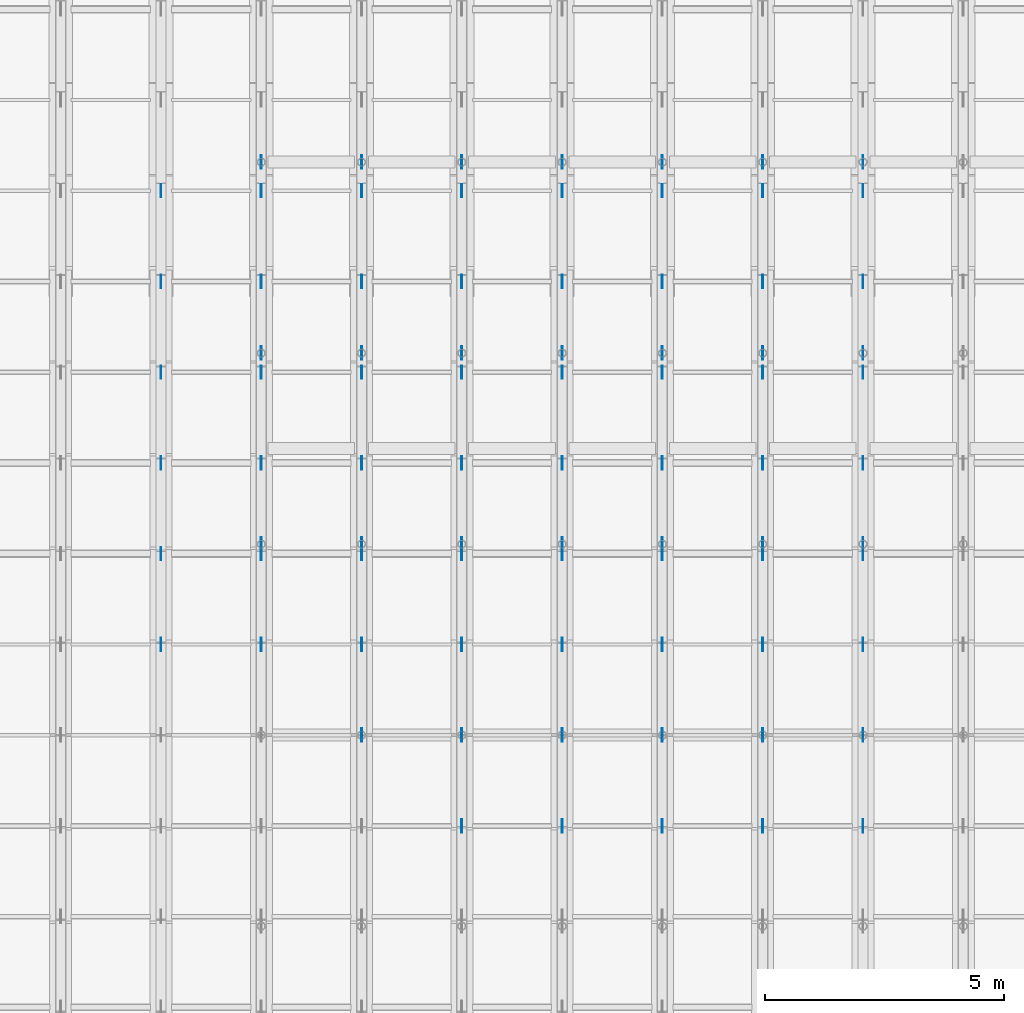
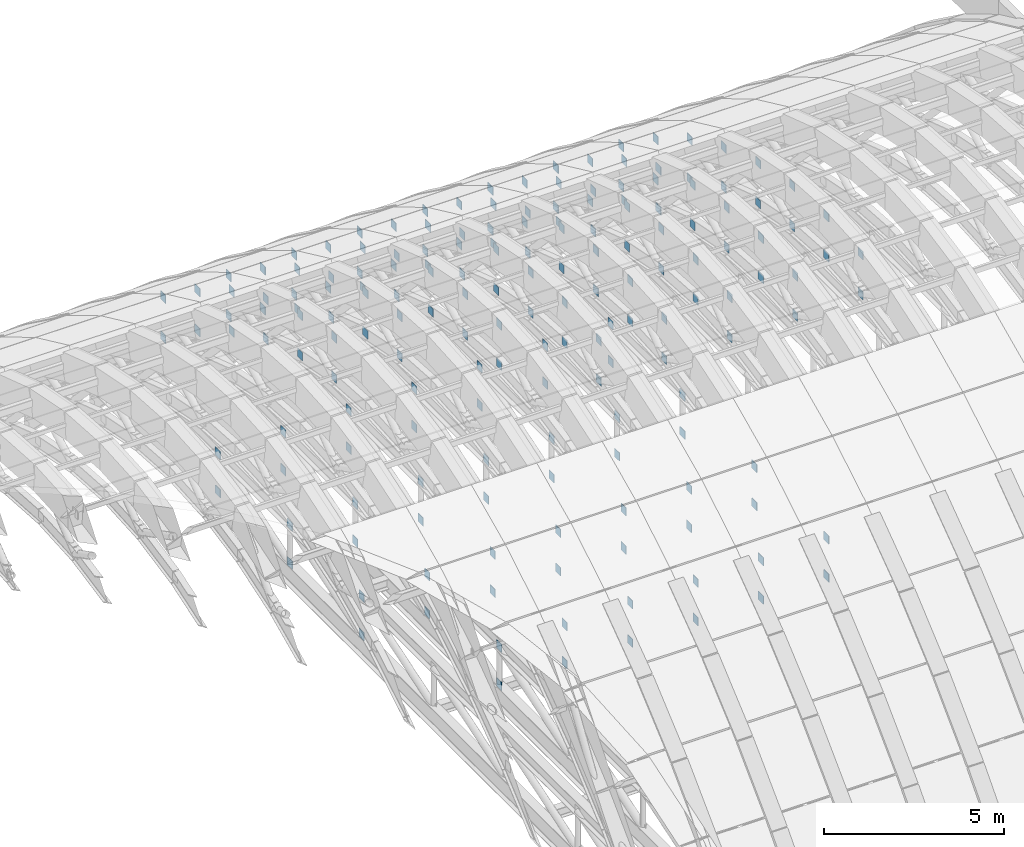
# One storey, part 61 of 67: 172 plates.
"""IFC4 building model written with IfcOpenShell, lengths in metres."""

from ifc_helpers import new_model, si_unit, direction, frame, origin, origin_2d, place, context, subcontext, project, spatial, rectangle, extrude, material, layer, layer_set, type_object, element, save


model = new_model("IFC4")

# Units and contexts
model_context = context("Model", 3, precision=1e-05, world=origin(), true_north=direction((0.0, 1.0)))
body_context = subcontext(model_context, "Body", "Model", "MODEL_VIEW")
ifc_project = project(units=[si_unit("LENGTHUNIT", "METRE"), si_unit("AREAUNIT", "SQUARE_METRE"), si_unit("VOLUMEUNIT", "CUBIC_METRE"), si_unit("PLANEANGLEUNIT", "RADIAN"), si_unit("MASSUNIT", "GRAM", prefix="KILO")], contexts=[model_context])

# Site, building, storey
site_placement = place(None, origin())
site = spatial("IfcSite", under=ifc_project, at=site_placement, CompositionType="ELEMENT")
building_placement = place(site_placement, origin())
building = spatial("IfcBuilding", under=site, at=building_placement, Name="Shengluoqiao Park Theatre", CompositionType="ELEMENT")
storey_placement = place(building_placement, frame((0.0, 0.0, 28.60009765625)))
storey = spatial("IfcBuildingStorey", under=building, at=storey_placement, Name="Roof", CompositionType="ELEMENT", Elevation=28.60009765625)

# Plates
ifc_material = material(Name="Steel Q355", Category="steel")
ifc_layer = layer(ifc_material, 0.013916015625, Name="Steel Q355")
ifc_layer_set = layer_set([ifc_layer], Name="Steel Q355")
plate_type = type_object("IfcPlateType", Name="STR-PLT-EC-280", PredefinedType="SHEET", material=ifc_layer_set)
for number, where, z_axis, x_axis, name in (
    (1, (61.199951171875, 96.89990234375, 2.31396484375), (0.0, 0.0, 1.0), (1.0, 0.0, 0.0), "Arch Truss Node Gusset Plate R09-U11"),
    (2, (61.199951171875, 96.89990234375, 0.9541015625), (0.0, 0.0, 1.0), (1.0, 0.0, 0.0), "Arch Truss Node Gusset Plate R09-L11"),
    (3, (61.199951171875, 98.800048828125, 1.93603515625), (0.0, 0.0, 1.0), (1.0, 0.0, 0.0), "Arch Truss Node Gusset Plate R09-U12"),
    (4, (61.199951171875, 98.800048828125, 0.57568359375), (0.0, 0.0, 1.0), (1.0, 0.0, 0.0), "Arch Truss Node Gusset Plate R09-L12"),
    (5, (61.199951171875, 100.699951171875, 1.3056640625), (0.0, 0.0, 1.0), (1.0, 0.0, 0.0), "Arch Truss Node Gusset Plate R09-U13"),
    (6, (61.199951171875, 100.699951171875, -0.05419921875), (0.0, 0.0, 1.0), (1.0, 0.0, 0.0), "Arch Truss Node Gusset Plate R09-L13"),
    (7, (61.199951171875, 102.60009765625, 0.423828125), (0.0, 0.0, 1.0), (1.0, 0.0, 0.0), "Arch Truss Node Gusset Plate R09-U14"),
    (8, (61.199951171875, 102.60009765625, -0.93603515625), (0.0, 0.0, 1.0), (1.0, 0.0, 0.0), "Arch Truss Node Gusset Plate R09-L14"),
    (9, (61.199951171875, 104.5, -0.7099609375), (0.0, 0.0, 1.0), (1.0, 0.0, 0.0), "Arch Truss Node Gusset Plate R09-U15"),
    (10, (61.199951171875, 104.5, -2.0703125), (0.0, 0.0, 1.0), (1.0, 0.0, 0.0), "Arch Truss Node Gusset Plate R09-L15"),
    (11, (61.199951171875, 106.39990234375, -2.09619140625), (0.0, 0.0, 1.0), (1.0, 0.0, 0.0), "Arch Truss Node Gusset Plate R09-U16"),
    (12, (61.199951171875, 106.39990234375, -3.4560546875), (0.0, 0.0, 1.0), (1.0, 0.0, 0.0), "Arch Truss Node Gusset Plate R09-L16"),
    (13, (63.300048828125, 96.89990234375, 2.31396484375), (0.0, 0.0, 1.0), (1.0, 0.0, 0.0), "Arch Truss Node Gusset Plate R10-U11"),
    (14, (63.300048828125, 96.89990234375, 0.9541015625), (0.0, 0.0, 1.0), (1.0, 0.0, 0.0), "Arch Truss Node Gusset Plate R10-L11"),
    (15, (63.300048828125, 98.800048828125, 1.93603515625), (0.0, 0.0, 1.0), (1.0, 0.0, 0.0), "Arch Truss Node Gusset Plate R10-U12"),
    (16, (63.300048828125, 98.800048828125, 0.57568359375), (0.0, 0.0, 1.0), (1.0, 0.0, 0.0), "Arch Truss Node Gusset Plate R10-L12"),
    (17, (63.300048828125, 100.699951171875, 1.3056640625), (0.0, 0.0, 1.0), (1.0, 0.0, 0.0), "Arch Truss Node Gusset Plate R10-U13"),
    (18, (63.300048828125, 100.699951171875, -0.05419921875), (0.0, 0.0, 1.0), (1.0, 0.0, 0.0), "Arch Truss Node Gusset Plate R10-L13"),
    (19, (63.300048828125, 102.60009765625, 0.423828125), (0.0, 0.0, 1.0), (1.0, 0.0, 0.0), "Arch Truss Node Gusset Plate R10-U14"),
    (20, (63.300048828125, 102.60009765625, -0.93603515625), (0.0, 0.0, 1.0), (1.0, 0.0, 0.0), "Arch Truss Node Gusset Plate R10-L14"),
    (21, (63.300048828125, 104.5, -0.7099609375), (0.0, 0.0, 1.0), (1.0, 0.0, 0.0), "Arch Truss Node Gusset Plate R10-U15"),
    (22, (63.300048828125, 104.5, -2.0703125), (0.0, 0.0, 1.0), (1.0, 0.0, 0.0), "Arch Truss Node Gusset Plate R10-L15"),
    (23, (63.300048828125, 106.39990234375, -2.09619140625), (0.0, 0.0, 1.0), (1.0, 0.0, 0.0), "Arch Truss Node Gusset Plate R10-U16"),
    (24, (63.300048828125, 106.39990234375, -3.4560546875), (0.0, 0.0, 1.0), (1.0, 0.0, 0.0), "Arch Truss Node Gusset Plate R10-L16"),
    (25, (65.39990234375, 95.0, 2.43994140625), (0.0, 0.0, 1.0), (1.0, 0.0, 0.0), "Arch Truss Node Gusset Plate R11-U10"),
    (26, (65.39990234375, 95.0, 1.080078125), (0.0, 0.0, 1.0), (1.0, 0.0, 0.0), "Arch Truss Node Gusset Plate R11-L10"),
    (27, (65.39990234375, 96.89990234375, 2.31396484375), (0.0, 0.0, 1.0), (1.0, 0.0, 0.0), "Arch Truss Node Gusset Plate R11-U11"),
    (28, (65.39990234375, 96.89990234375, 0.9541015625), (0.0, 0.0, 1.0), (1.0, 0.0, 0.0), "Arch Truss Node Gusset Plate R11-L11"),
    (29, (65.39990234375, 98.800048828125, 1.93603515625), (0.0, 0.0, 1.0), (1.0, 0.0, 0.0), "Arch Truss Node Gusset Plate R11-U12"),
    (30, (65.39990234375, 98.800048828125, 0.57568359375), (0.0, 0.0, 1.0), (1.0, 0.0, 0.0), "Arch Truss Node Gusset Plate R11-L12"),
    (31, (65.39990234375, 100.699951171875, 1.3056640625), (0.0, 0.0, 1.0), (1.0, 0.0, 0.0), "Arch Truss Node Gusset Plate R11-U13"),
    (32, (65.39990234375, 100.699951171875, -0.05419921875), (0.0, 0.0, 1.0), (1.0, 0.0, 0.0), "Arch Truss Node Gusset Plate R11-L13"),
    (33, (65.39990234375, 102.60009765625, 0.423828125), (0.0, 0.0, 1.0), (1.0, 0.0, 0.0), "Arch Truss Node Gusset Plate R11-U14"),
    (34, (65.39990234375, 102.60009765625, -0.93603515625), (0.0, 0.0, 1.0), (1.0, 0.0, 0.0), "Arch Truss Node Gusset Plate R11-L14"),
    (35, (65.39990234375, 104.5, -0.7099609375), (0.0, 0.0, 1.0), (1.0, 0.0, 0.0), "Arch Truss Node Gusset Plate R11-U15"),
    (36, (65.39990234375, 104.5, -2.0703125), (0.0, 0.0, 1.0), (1.0, 0.0, 0.0), "Arch Truss Node Gusset Plate R11-L15"),
    (37, (65.39990234375, 106.39990234375, -2.09619140625), (0.0, 0.0, 1.0), (1.0, 0.0, 0.0), "Arch Truss Node Gusset Plate R11-U16"),
    (38, (65.39990234375, 106.39990234375, -3.4560546875), (0.0, 0.0, 1.0), (1.0, 0.0, 0.0), "Arch Truss Node Gusset Plate R11-L16"),
    (39, (67.5, 93.10009765625, 2.31396484375), (0.0, 0.0, 1.0), (1.0, 0.0, 0.0), "Arch Truss Node Gusset Plate R12-U09"),
    (40, (67.5, 93.10009765625, 0.9541015625), (0.0, 0.0, 1.0), (1.0, 0.0, 0.0), "Arch Truss Node Gusset Plate R12-L09"),
    (41, (67.5, 95.0, 2.43994140625), (0.0, 0.0, 1.0), (1.0, 0.0, 0.0), "Arch Truss Node Gusset Plate R12-U10"),
    (42, (67.5, 95.0, 1.080078125), (0.0, 0.0, 1.0), (1.0, 0.0, 0.0), "Arch Truss Node Gusset Plate R12-L10"),
    (43, (67.5, 96.89990234375, 2.31396484375), (0.0, 0.0, 1.0), (1.0, 0.0, 0.0), "Arch Truss Node Gusset Plate R12-U11"),
    (44, (67.5, 96.89990234375, 0.9541015625), (0.0, 0.0, 1.0), (1.0, 0.0, 0.0), "Arch Truss Node Gusset Plate R12-L11"),
    (45, (67.5, 98.800048828125, 1.93603515625), (0.0, 0.0, 1.0), (1.0, 0.0, 0.0), "Arch Truss Node Gusset Plate R12-U12"),
    (46, (67.5, 98.800048828125, 0.57568359375), (0.0, 0.0, 1.0), (1.0, 0.0, 0.0), "Arch Truss Node Gusset Plate R12-L12"),
    (47, (67.5, 100.699951171875, 1.3056640625), (0.0, 0.0, 1.0), (1.0, 0.0, 0.0), "Arch Truss Node Gusset Plate R12-U13"),
    (48, (67.5, 100.699951171875, -0.05419921875), (0.0, 0.0, 1.0), (1.0, 0.0, 0.0), "Arch Truss Node Gusset Plate R12-L13"),
    (49, (67.5, 102.60009765625, 0.423828125), (0.0, 0.0, 1.0), (1.0, 0.0, 0.0), "Arch Truss Node Gusset Plate R12-U14"),
    (50, (67.5, 102.60009765625, -0.93603515625), (0.0, 0.0, 1.0), (1.0, 0.0, 0.0), "Arch Truss Node Gusset Plate R12-L14"),
    (51, (67.5, 104.5, -0.7099609375), (0.0, 0.0, 1.0), (1.0, 0.0, 0.0), "Arch Truss Node Gusset Plate R12-U15"),
    (52, (67.5, 104.5, -2.0703125), (0.0, 0.0, 1.0), (1.0, 0.0, 0.0), "Arch Truss Node Gusset Plate R12-L15"),
    (53, (67.5, 106.39990234375, -2.09619140625), (0.0, 0.0, 1.0), (1.0, 0.0, 0.0), "Arch Truss Node Gusset Plate R12-U16"),
    (54, (67.5, 106.39990234375, -3.4560546875), (0.0, 0.0, 1.0), (1.0, 0.0, 0.0), "Arch Truss Node Gusset Plate R12-L16"),
    (55, (69.60009765625, 93.10009765625, 2.31396484375), (0.0, 0.0, 1.0), (1.0, 0.0, 0.0), "Arch Truss Node Gusset Plate R13-U09"),
    (56, (69.60009765625, 93.10009765625, 0.9541015625), (0.0, 0.0, 1.0), (1.0, 0.0, 0.0), "Arch Truss Node Gusset Plate R13-L09"),
    (57, (69.60009765625, 95.0, 2.43994140625), (0.0, 0.0, 1.0), (1.0, 0.0, 0.0), "Arch Truss Node Gusset Plate R13-U10"),
    (58, (69.60009765625, 95.0, 1.080078125), (0.0, 0.0, 1.0), (1.0, 0.0, 0.0), "Arch Truss Node Gusset Plate R13-L10"),
    (59, (69.60009765625, 96.89990234375, 2.31396484375), (0.0, 0.0, 1.0), (1.0, 0.0, 0.0), "Arch Truss Node Gusset Plate R13-U11"),
    (60, (69.60009765625, 96.89990234375, 0.9541015625), (0.0, 0.0, 1.0), (1.0, 0.0, 0.0), "Arch Truss Node Gusset Plate R13-L11"),
    (61, (69.60009765625, 98.800048828125, 1.93603515625), (0.0, 0.0, 1.0), (1.0, 0.0, 0.0), "Arch Truss Node Gusset Plate R13-U12"),
    (62, (69.60009765625, 98.800048828125, 0.57568359375), (0.0, 0.0, 1.0), (1.0, 0.0, 0.0), "Arch Truss Node Gusset Plate R13-L12"),
    (63, (69.60009765625, 100.699951171875, 1.3056640625), (0.0, 0.0, 1.0), (1.0, 0.0, 0.0), "Arch Truss Node Gusset Plate R13-U13"),
    (64, (69.60009765625, 100.699951171875, -0.05419921875), (0.0, 0.0, 1.0), (1.0, 0.0, 0.0), "Arch Truss Node Gusset Plate R13-L13"),
    (65, (69.60009765625, 102.60009765625, 0.423828125), (0.0, 0.0, 1.0), (1.0, 0.0, 0.0), "Arch Truss Node Gusset Plate R13-U14"),
    (66, (69.60009765625, 102.60009765625, -0.93603515625), (0.0, 0.0, 1.0), (1.0, 0.0, 0.0), "Arch Truss Node Gusset Plate R13-L14"),
    (67, (69.60009765625, 104.5, -0.7099609375), (0.0, 0.0, 1.0), (1.0, 0.0, 0.0), "Arch Truss Node Gusset Plate R13-U15"),
    (68, (69.60009765625, 104.5, -2.0703125), (0.0, 0.0, 1.0), (1.0, 0.0, 0.0), "Arch Truss Node Gusset Plate R13-L15"),
    (69, (69.60009765625, 106.39990234375, -2.09619140625), (0.0, 0.0, 1.0), (1.0, 0.0, 0.0), "Arch Truss Node Gusset Plate R13-U16"),
    (70, (69.60009765625, 106.39990234375, -3.4560546875), (0.0, 0.0, 1.0), (1.0, 0.0, 0.0), "Arch Truss Node Gusset Plate R13-L16"),
    (71, (71.699951171875, 93.10009765625, 2.31396484375), (0.0, 0.0, 1.0), (1.0, 0.0, 0.0), "Arch Truss Node Gusset Plate R14-U09"),
    (72, (71.699951171875, 93.10009765625, 0.9541015625), (0.0, 0.0, 1.0), (1.0, 0.0, 0.0), "Arch Truss Node Gusset Plate R14-L09"),
    (73, (71.699951171875, 95.0, 2.43994140625), (0.0, 0.0, 1.0), (1.0, 0.0, 0.0), "Arch Truss Node Gusset Plate R14-U10"),
    (74, (71.699951171875, 95.0, 1.080078125), (0.0, 0.0, 1.0), (1.0, 0.0, 0.0), "Arch Truss Node Gusset Plate R14-L10"),
    (75, (71.699951171875, 96.89990234375, 2.31396484375), (0.0, 0.0, 1.0), (1.0, 0.0, 0.0), "Arch Truss Node Gusset Plate R14-U11"),
    (76, (71.699951171875, 96.89990234375, 0.9541015625), (0.0, 0.0, 1.0), (1.0, 0.0, 0.0), "Arch Truss Node Gusset Plate R14-L11"),
    (77, (71.699951171875, 98.800048828125, 1.93603515625), (0.0, 0.0, 1.0), (1.0, 0.0, 0.0), "Arch Truss Node Gusset Plate R14-U12"),
    (78, (71.699951171875, 98.800048828125, 0.57568359375), (0.0, 0.0, 1.0), (1.0, 0.0, 0.0), "Arch Truss Node Gusset Plate R14-L12"),
    (79, (71.699951171875, 100.699951171875, 1.3056640625), (0.0, 0.0, 1.0), (1.0, 0.0, 0.0), "Arch Truss Node Gusset Plate R14-U13"),
    (80, (71.699951171875, 100.699951171875, -0.05419921875), (0.0, 0.0, 1.0), (1.0, 0.0, 0.0), "Arch Truss Node Gusset Plate R14-L13"),
    (81, (71.699951171875, 102.60009765625, 0.423828125), (0.0, 0.0, 1.0), (1.0, 0.0, 0.0), "Arch Truss Node Gusset Plate R14-U14"),
    (82, (71.699951171875, 102.60009765625, -0.93603515625), (0.0, 0.0, 1.0), (1.0, 0.0, 0.0), "Arch Truss Node Gusset Plate R14-L14"),
    (83, (71.699951171875, 104.5, -0.7099609375), (0.0, 0.0, 1.0), (1.0, 0.0, 0.0), "Arch Truss Node Gusset Plate R14-U15"),
    (84, (71.699951171875, 104.5, -2.0703125), (0.0, 0.0, 1.0), (1.0, 0.0, 0.0), "Arch Truss Node Gusset Plate R14-L15"),
    (85, (71.699951171875, 106.39990234375, -2.09619140625), (0.0, 0.0, 1.0), (1.0, 0.0, 0.0), "Arch Truss Node Gusset Plate R14-U16"),
    (86, (71.699951171875, 106.39990234375, -3.4560546875), (0.0, 0.0, 1.0), (1.0, 0.0, 0.0), "Arch Truss Node Gusset Plate R14-L16"),
    (87, (73.800048828125, 93.10009765625, 2.31396484375), (0.0, 0.0, 1.0), (1.0, 0.0, 0.0), "Arch Truss Node Gusset Plate R15-U09"),
    (88, (73.800048828125, 93.10009765625, 0.9541015625), (0.0, 0.0, 1.0), (1.0, 0.0, 0.0), "Arch Truss Node Gusset Plate R15-L09"),
    (89, (73.800048828125, 95.0, 2.43994140625), (0.0, 0.0, 1.0), (1.0, 0.0, 0.0), "Arch Truss Node Gusset Plate R15-U10"),
    (90, (73.800048828125, 95.0, 1.080078125), (0.0, 0.0, 1.0), (1.0, 0.0, 0.0), "Arch Truss Node Gusset Plate R15-L10"),
    (91, (73.800048828125, 96.89990234375, 2.31396484375), (0.0, 0.0, 1.0), (1.0, 0.0, 0.0), "Arch Truss Node Gusset Plate R15-U11"),
    (92, (73.800048828125, 96.89990234375, 0.9541015625), (0.0, 0.0, 1.0), (1.0, 0.0, 0.0), "Arch Truss Node Gusset Plate R15-L11"),
    (93, (73.800048828125, 98.800048828125, 1.93603515625), (0.0, 0.0, 1.0), (1.0, 0.0, 0.0), "Arch Truss Node Gusset Plate R15-U12"),
    (94, (73.800048828125, 98.800048828125, 0.57568359375), (0.0, 0.0, 1.0), (1.0, 0.0, 0.0), "Arch Truss Node Gusset Plate R15-L12"),
    (95, (73.800048828125, 100.699951171875, 1.3056640625), (0.0, 0.0, 1.0), (1.0, 0.0, 0.0), "Arch Truss Node Gusset Plate R15-U13"),
    (96, (73.800048828125, 100.699951171875, -0.05419921875), (0.0, 0.0, 1.0), (1.0, 0.0, 0.0), "Arch Truss Node Gusset Plate R15-L13"),
    (97, (73.800048828125, 102.60009765625, 0.423828125), (0.0, 0.0, 1.0), (1.0, 0.0, 0.0), "Arch Truss Node Gusset Plate R15-U14"),
    (98, (73.800048828125, 102.60009765625, -0.93603515625), (0.0, 0.0, 1.0), (1.0, 0.0, 0.0), "Arch Truss Node Gusset Plate R15-L14"),
    (99, (73.800048828125, 104.5, -0.7099609375), (0.0, 0.0, 1.0), (1.0, 0.0, 0.0), "Arch Truss Node Gusset Plate R15-U15"),
    (100, (73.800048828125, 104.5, -2.0703125), (0.0, 0.0, 1.0), (1.0, 0.0, 0.0), "Arch Truss Node Gusset Plate R15-L15"),
    (101, (73.800048828125, 106.39990234375, -2.09619140625), (0.0, 0.0, 1.0), (1.0, 0.0, 0.0), "Arch Truss Node Gusset Plate R15-U16"),
    (102, (73.800048828125, 106.39990234375, -3.4560546875), (0.0, 0.0, 1.0), (1.0, 0.0, 0.0), "Arch Truss Node Gusset Plate R15-L16"),
    (103, (75.89990234375, 93.10009765625, 2.31396484375), (0.0, 0.0, 1.0), (1.0, 0.0, 0.0), "Arch Truss Node Gusset Plate R16-U09"),
    (104, (75.89990234375, 93.10009765625, 0.9541015625), (0.0, 0.0, 1.0), (1.0, 0.0, 0.0), "Arch Truss Node Gusset Plate R16-L09"),
    (105, (75.89990234375, 95.0, 2.43994140625), (0.0, 0.0, 1.0), (1.0, 0.0, 0.0), "Arch Truss Node Gusset Plate R16-U10"),
    (106, (75.89990234375, 95.0, 1.080078125), (0.0, 0.0, 1.0), (1.0, 0.0, 0.0), "Arch Truss Node Gusset Plate R16-L10"),
    (107, (75.89990234375, 96.89990234375, 2.31396484375), (0.0, 0.0, 1.0), (1.0, 0.0, 0.0), "Arch Truss Node Gusset Plate R16-U11"),
    (108, (75.89990234375, 96.89990234375, 0.9541015625), (0.0, 0.0, 1.0), (1.0, 0.0, 0.0), "Arch Truss Node Gusset Plate R16-L11"),
    (109, (75.89990234375, 98.800048828125, 1.93603515625), (0.0, 0.0, 1.0), (1.0, 0.0, 0.0), "Arch Truss Node Gusset Plate R16-U12"),
    (110, (75.89990234375, 98.800048828125, 0.57568359375), (0.0, 0.0, 1.0), (1.0, 0.0, 0.0), "Arch Truss Node Gusset Plate R16-L12"),
    (111, (75.89990234375, 100.699951171875, 1.3056640625), (0.0, 0.0, 1.0), (1.0, 0.0, 0.0), "Arch Truss Node Gusset Plate R16-U13"),
    (112, (75.89990234375, 100.699951171875, -0.05419921875), (0.0, 0.0, 1.0), (1.0, 0.0, 0.0), "Arch Truss Node Gusset Plate R16-L13"),
    (113, (75.89990234375, 102.60009765625, 0.423828125), (0.0, 0.0, 1.0), (1.0, 0.0, 0.0), "Arch Truss Node Gusset Plate R16-U14"),
    (114, (75.89990234375, 102.60009765625, -0.93603515625), (0.0, 0.0, 1.0), (1.0, 0.0, 0.0), "Arch Truss Node Gusset Plate R16-L14"),
    (115, (75.89990234375, 104.5, -0.7099609375), (0.0, 0.0, 1.0), (1.0, 0.0, 0.0), "Arch Truss Node Gusset Plate R16-U15"),
    (116, (75.89990234375, 104.5, -2.0703125), (0.0, 0.0, 1.0), (1.0, 0.0, 0.0), "Arch Truss Node Gusset Plate R16-L15"),
    (117, (75.89990234375, 106.39990234375, -2.09619140625), (0.0, 0.0, 1.0), (1.0, 0.0, 0.0), "Arch Truss Node Gusset Plate R16-U16"),
    (118, (75.89990234375, 106.39990234375, -3.4560546875), (0.0, 0.0, 1.0), (1.0, 0.0, 0.0), "Arch Truss Node Gusset Plate R16-L16"),
    (119, (63.300048828125, 99.0, -9.7900390625), (0.0, 0.0, 1.0), (1.0, 0.0, 0.0), "Tie Truss Node Gusset Plate R10-B05"),
    (120, (63.300048828125, 99.0, -8.490234375), (0.0, 0.0, 1.0), (1.0, 0.0, 0.0), "Tie Truss Node Gusset Plate R10-T05"),
    (121, (63.300048828125, 103.0, -9.7900390625), (0.0, 0.0, 1.0), (1.0, 0.0, 0.0), "Tie Truss Node Gusset Plate R10-B06"),
    (122, (63.300048828125, 103.0, -8.490234375), (0.0, 0.0, 1.0), (1.0, 0.0, 0.0), "Tie Truss Node Gusset Plate R10-T06"),
    (123, (63.300048828125, 107.0, -9.7900390625), (0.0, 0.0, 1.0), (1.0, 0.0, 0.0), "Tie Truss Node Gusset Plate R10-B07"),
    (124, (63.300048828125, 107.0, -8.490234375), (0.0, 0.0, 1.0), (1.0, 0.0, 0.0), "Tie Truss Node Gusset Plate R10-T07"),
    (125, (65.39990234375, 95.0, -9.7900390625), (0.0, 0.0, 1.0), (1.0, 0.0, 0.0), "Tie Truss Node Gusset Plate R11-B04"),
    (126, (65.39990234375, 95.0, -8.490234375), (0.0, 0.0, 1.0), (1.0, 0.0, 0.0), "Tie Truss Node Gusset Plate R11-T04"),
    (127, (65.39990234375, 99.0, -9.7900390625), (0.0, 0.0, 1.0), (1.0, 0.0, 0.0), "Tie Truss Node Gusset Plate R11-B05"),
    (128, (65.39990234375, 99.0, -8.490234375), (0.0, 0.0, 1.0), (1.0, 0.0, 0.0), "Tie Truss Node Gusset Plate R11-T05"),
    (129, (65.39990234375, 103.0, -9.7900390625), (0.0, 0.0, 1.0), (1.0, 0.0, 0.0), "Tie Truss Node Gusset Plate R11-B06"),
    (130, (65.39990234375, 103.0, -8.490234375), (0.0, 0.0, 1.0), (1.0, 0.0, 0.0), "Tie Truss Node Gusset Plate R11-T06"),
    (131, (65.39990234375, 107.0, -9.7900390625), (0.0, 0.0, 1.0), (1.0, 0.0, 0.0), "Tie Truss Node Gusset Plate R11-B07"),
    (132, (65.39990234375, 107.0, -8.490234375), (0.0, 0.0, 1.0), (1.0, 0.0, 0.0), "Tie Truss Node Gusset Plate R11-T07"),
    (133, (67.5, 95.0, -9.7900390625), (0.0, 0.0, 1.0), (1.0, 0.0, 0.0), "Tie Truss Node Gusset Plate R12-B04"),
    (134, (67.5, 95.0, -8.490234375), (0.0, 0.0, 1.0), (1.0, 0.0, 0.0), "Tie Truss Node Gusset Plate R12-T04"),
    (135, (67.5, 99.0, -9.7900390625), (0.0, 0.0, 1.0), (1.0, 0.0, 0.0), "Tie Truss Node Gusset Plate R12-B05"),
    (136, (67.5, 99.0, -8.490234375), (0.0, 0.0, 1.0), (1.0, 0.0, 0.0), "Tie Truss Node Gusset Plate R12-T05"),
    (137, (67.5, 103.0, -9.7900390625), (0.0, 0.0, 1.0), (1.0, 0.0, 0.0), "Tie Truss Node Gusset Plate R12-B06"),
    (138, (67.5, 103.0, -8.490234375), (0.0, 0.0, 1.0), (1.0, 0.0, 0.0), "Tie Truss Node Gusset Plate R12-T06"),
    (139, (67.5, 107.0, -9.7900390625), (0.0, 0.0, 1.0), (1.0, 0.0, 0.0), "Tie Truss Node Gusset Plate R12-B07"),
    (140, (67.5, 107.0, -8.490234375), (0.0, 0.0, 1.0), (1.0, 0.0, 0.0), "Tie Truss Node Gusset Plate R12-T07"),
    (141, (69.60009765625, 95.0, -9.7900390625), (0.0, 0.0, 1.0), (1.0, 0.0, 0.0), "Tie Truss Node Gusset Plate R13-B04"),
    (142, (69.60009765625, 95.0, -8.490234375), (0.0, 0.0, 1.0), (1.0, 0.0, 0.0), "Tie Truss Node Gusset Plate R13-T04"),
    (143, (69.60009765625, 99.0, -9.7900390625), (0.0, 0.0, 1.0), (1.0, 0.0, 0.0), "Tie Truss Node Gusset Plate R13-B05"),
    (144, (69.60009765625, 99.0, -8.490234375), (0.0, 0.0, 1.0), (1.0, 0.0, 0.0), "Tie Truss Node Gusset Plate R13-T05"),
    (145, (69.60009765625, 103.0, -9.7900390625), (0.0, 0.0, 1.0), (1.0, 0.0, 0.0), "Tie Truss Node Gusset Plate R13-B06"),
    (146, (69.60009765625, 103.0, -8.490234375), (0.0, 0.0, 1.0), (1.0, 0.0, 0.0), "Tie Truss Node Gusset Plate R13-T06"),
    (147, (69.60009765625, 107.0, -9.7900390625), (0.0, 0.0, 1.0), (1.0, 0.0, 0.0), "Tie Truss Node Gusset Plate R13-B07"),
    (148, (69.60009765625, 107.0, -8.490234375), (0.0, 0.0, 1.0), (1.0, 0.0, 0.0), "Tie Truss Node Gusset Plate R13-T07"),
    (149, (71.699951171875, 95.0, -9.7900390625), (0.0, 0.0, 1.0), (1.0, 0.0, 0.0), "Tie Truss Node Gusset Plate R14-B04"),
    (150, (71.699951171875, 95.0, -8.490234375), (0.0, 0.0, 1.0), (1.0, 0.0, 0.0), "Tie Truss Node Gusset Plate R14-T04"),
    (151, (71.699951171875, 99.0, -9.7900390625), (0.0, 0.0, 1.0), (1.0, 0.0, 0.0), "Tie Truss Node Gusset Plate R14-B05"),
    (152, (71.699951171875, 99.0, -8.490234375), (0.0, 0.0, 1.0), (1.0, 0.0, 0.0), "Tie Truss Node Gusset Plate R14-T05"),
    (153, (71.699951171875, 103.0, -9.7900390625), (0.0, 0.0, 1.0), (1.0, 0.0, 0.0), "Tie Truss Node Gusset Plate R14-B06"),
    (154, (71.699951171875, 103.0, -8.490234375), (0.0, 0.0, 1.0), (1.0, 0.0, 0.0), "Tie Truss Node Gusset Plate R14-T06"),
    (155, (71.699951171875, 107.0, -9.7900390625), (0.0, 0.0, 1.0), (1.0, 0.0, 0.0), "Tie Truss Node Gusset Plate R14-B07"),
    (156, (71.699951171875, 107.0, -8.490234375), (0.0, 0.0, 1.0), (1.0, 0.0, 0.0), "Tie Truss Node Gusset Plate R14-T07"),
    (157, (73.800048828125, 95.0, -9.7900390625), (0.0, 0.0, 1.0), (1.0, 0.0, 0.0), "Tie Truss Node Gusset Plate R15-B04"),
    (158, (73.800048828125, 95.0, -8.490234375), (0.0, 0.0, 1.0), (1.0, 0.0, 0.0), "Tie Truss Node Gusset Plate R15-T04"),
    (159, (73.800048828125, 99.0, -9.7900390625), (0.0, 0.0, 1.0), (1.0, 0.0, 0.0), "Tie Truss Node Gusset Plate R15-B05"),
    (160, (73.800048828125, 99.0, -8.490234375), (0.0, 0.0, 1.0), (1.0, 0.0, 0.0), "Tie Truss Node Gusset Plate R15-T05"),
    (161, (73.800048828125, 103.0, -9.7900390625), (0.0, 0.0, 1.0), (1.0, 0.0, 0.0), "Tie Truss Node Gusset Plate R15-B06"),
    (162, (73.800048828125, 103.0, -8.490234375), (0.0, 0.0, 1.0), (1.0, 0.0, 0.0), "Tie Truss Node Gusset Plate R15-T06"),
    (163, (73.800048828125, 107.0, -9.7900390625), (0.0, 0.0, 1.0), (1.0, 0.0, 0.0), "Tie Truss Node Gusset Plate R15-B07"),
    (164, (73.800048828125, 107.0, -8.490234375), (0.0, 0.0, 1.0), (1.0, 0.0, 0.0), "Tie Truss Node Gusset Plate R15-T07"),
    (165, (75.89990234375, 95.0, -9.7900390625), (0.0, 0.0, 1.0), (1.0, 0.0, 0.0), "Tie Truss Node Gusset Plate R16-B04"),
    (166, (75.89990234375, 95.0, -8.490234375), (0.0, 0.0, 1.0), (1.0, 0.0, 0.0), "Tie Truss Node Gusset Plate R16-T04"),
    (167, (75.89990234375, 99.0, -9.7900390625), (0.0, 0.0, 1.0), (1.0, 0.0, 0.0), "Tie Truss Node Gusset Plate R16-B05"),
    (168, (75.89990234375, 99.0, -8.490234375), (0.0, 0.0, 1.0), (1.0, 0.0, 0.0), "Tie Truss Node Gusset Plate R16-T05"),
    (169, (75.89990234375, 103.0, -9.7900390625), (0.0, 0.0, 1.0), (1.0, 0.0, 0.0), "Tie Truss Node Gusset Plate R16-B06"),
    (170, (75.89990234375, 103.0, -8.490234375), (0.0, 0.0, 1.0), (1.0, 0.0, 0.0), "Tie Truss Node Gusset Plate R16-T06"),
    (171, (75.89990234375, 107.0, -9.7900390625), (0.0, 0.0, 1.0), (1.0, 0.0, 0.0), "Tie Truss Node Gusset Plate R16-B07"),
    (172, (75.89990234375, 107.0, -8.490234375), (0.0, 0.0, 1.0), (1.0, 0.0, 0.0), "Tie Truss Node Gusset Plate R16-T07"),
):
    element("IfcPlate", number, at=place(storey_placement, frame(where, z_axis=z_axis, x_axis=x_axis)), inside=storey, type_object=plate_type, Name=name, PredefinedType="SHEET", context=body_context, shape_type="SweptSolid", body=[
        extrude(rectangle(XDim=0.01806640625, YDim=0.280029296875, at=origin_2d()), origin(), (0.0, 0.0, 1.0), 0.280029296875),
    ])

save(model, "model.ifc")
